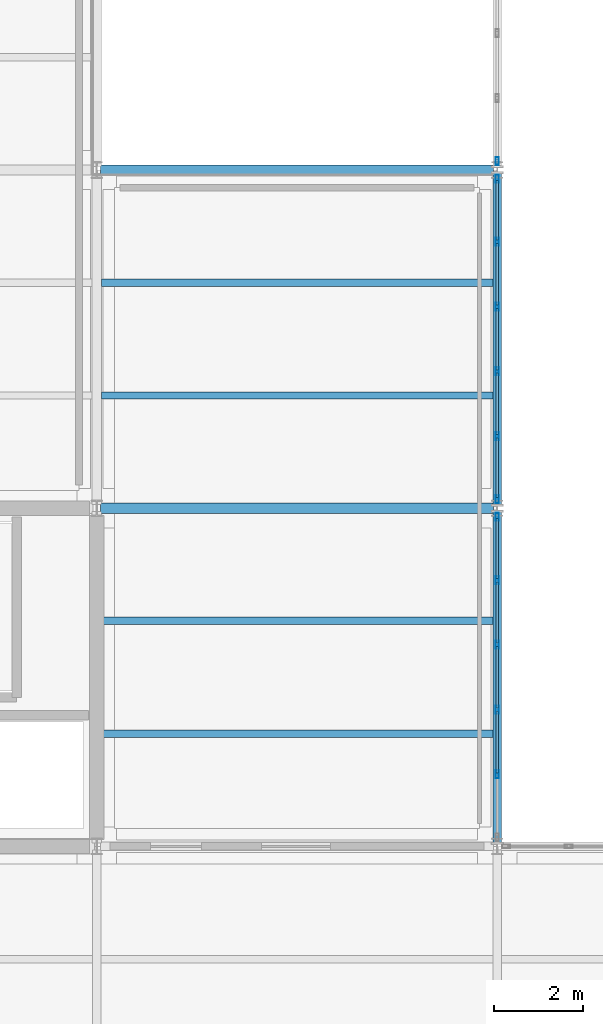
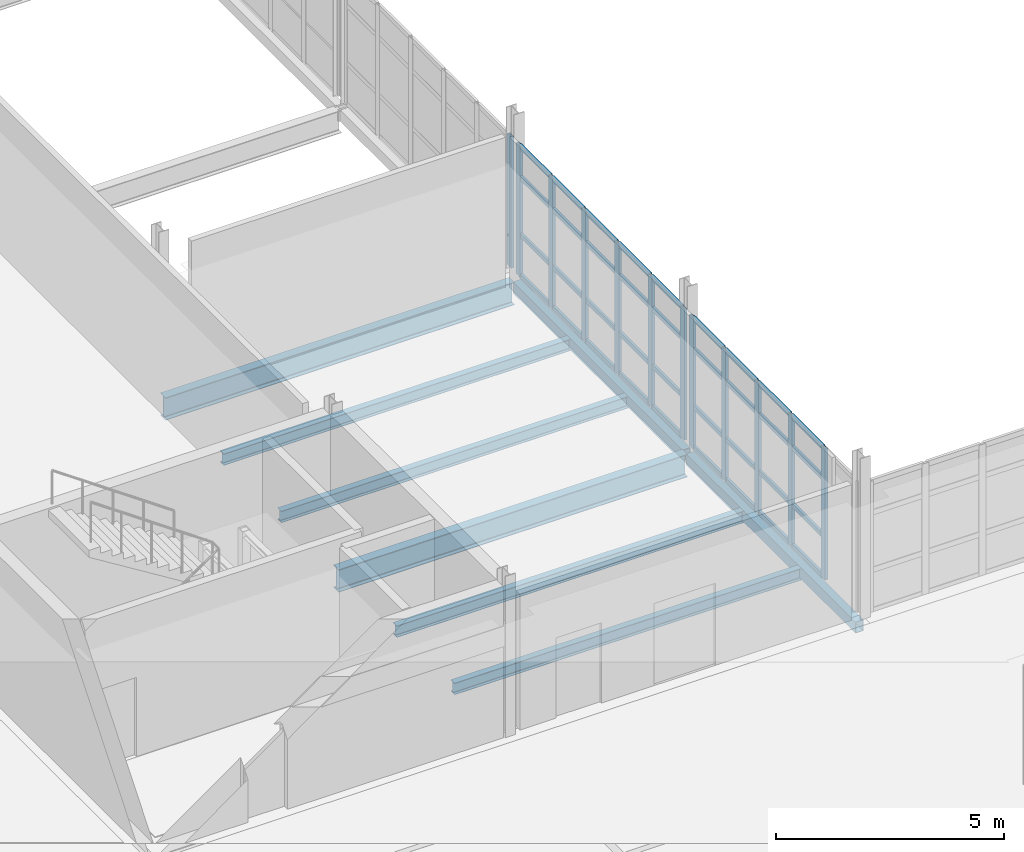
# One storey, part 60 of 174: 48 members, 8 beams, 3 elements without a shape of their own.
"""IFC4 building model written with IfcOpenShell, lengths in metres."""

from ifc_helpers import new_model, si_unit, direction, frame, origin, origin_2d, place, context, subcontext, project, spatial, hollow_rectangle, i_section, extrude, material, material_profile, profile_set, type_object, element, aggregate, save


model = new_model("IFC4")

# Units and contexts
model_context = context("Model", 3, precision=1e-05, world=origin(), true_north=direction((0.0, 1.0)))
body_context = subcontext(model_context, "Body", "Model", "MODEL_VIEW")
ifc_project = project(units=[si_unit("LENGTHUNIT", "METRE"), si_unit("AREAUNIT", "SQUARE_METRE"), si_unit("VOLUMEUNIT", "CUBIC_METRE"), si_unit("PLANEANGLEUNIT", "RADIAN"), si_unit("MASSUNIT", "GRAM", prefix="KILO")], contexts=[model_context])

# Site, building, storey
site_placement = place(None, origin())
site = spatial("IfcSite", under=ifc_project, at=site_placement, CompositionType="ELEMENT")
building_placement = place(site_placement, origin())
building = spatial("IfcBuilding", under=site, at=building_placement, Name="Caisbarro Railhouse Central Library", CompositionType="ELEMENT")
storey_placement = place(building_placement, frame((0.0, 0.0, 5.0400390625)))
storey = spatial("IfcBuildingStorey", under=building, at=storey_placement, Name="L01", CompositionType="ELEMENT", Elevation=5.0400390625)

# Beams
ifc_material_1 = material(Name="Steel ASTM A572 Grade 50", Category="steel")
ifc_material_profile_1 = material_profile(ifc_material_1, i_section(OverallWidth=0.22802734375, OverallDepth=0.60791015625, WebThickness=0.01123046875, FlangeThickness=0.017333984375, FilletRadius=0.02197265625, at=origin_2d()), Name="W610X113.0")
ifc_profile_set_1 = profile_set([ifc_material_profile_1], Name="Steel ASTM A572 Grade 50")
beam_type_1 = type_object("IfcBeamType", Name="BM-G04", PredefinedType="BEAM", material=ifc_profile_set_1)
for number, where, z_axis, x_axis, name in (
    (1, (63.080078125, 38.0, -0.52392578125), (1.0, 0.0, 0.0), (0.0, 1.0, 0.0), "G04 beam L01 #803"),
    (2, (63.080078125, 45.60009765625, -0.52392578125), (1.0, 0.0, 0.0), (0.0, 1.0, 0.0), "G04 beam L01 #808"),
):
    element("IfcBeam", number, at=place(storey_placement, frame(where, z_axis=z_axis, x_axis=x_axis)), inside=storey, type_object=beam_type_1, Name=name, PredefinedType="BEAM", context=body_context, shape_type="SweptSolid", body=[
        extrude(i_section(OverallWidth=0.22802734375, OverallDepth=0.60791015625, WebThickness=0.01123046875, FlangeThickness=0.017333984375, FilletRadius=0.02197265625, at=origin_2d()), origin(), (0.0, 0.0, 1.0), 8.83984375),
    ])
ifc_material_profile_2 = material_profile(ifc_material_1, i_section(OverallWidth=0.1650390625, OverallDepth=0.31005859375, WebThickness=0.005859375, FlangeThickness=0.009765625, FilletRadius=0.011962890625, at=origin_2d()), Name="W310X38.7")
ifc_profile_set_2 = profile_set([ifc_material_profile_2], Name="Steel ASTM A572 Grade 50")
beam_type_2 = type_object("IfcBeamType", Name="BM-J03", PredefinedType="JOIST", material=ifc_profile_set_2)
for number, where, z_axis, x_axis, name in (
    (3, (63.1044921875, 32.933349609375, -0.375), (1.0, 0.0, 0.0), (0.0, 1.0, 0.0), "J03 beam L01 #897"),
    (4, (63.1044921875, 35.466796875, -0.375), (1.0, 0.0, 0.0), (0.0, 1.0, 0.0), "J03 beam L01 #898"),
    (5, (63.1044921875, 40.533203125, -0.375), (1.0, 0.0, 0.0), (0.0, 1.0, 0.0), "J03 beam L01 #899"),
    (6, (63.1044921875, 43.066650390625, -0.375), (1.0, 0.0, 0.0), (0.0, 1.0, 0.0), "J03 beam L01 #900"),
):
    element("IfcBeam", number, at=place(storey_placement, frame(where, z_axis=z_axis, x_axis=x_axis)), inside=storey, type_object=beam_type_2, Name=name, PredefinedType="JOIST", context=body_context, shape_type="SweptSolid", body=[
        extrude(i_section(OverallWidth=0.1650390625, OverallDepth=0.31005859375, WebThickness=0.005859375, FlangeThickness=0.009765625, FilletRadius=0.011962890625, at=origin_2d()), origin(), (0.0, 0.0, 1.0), 8.79541015625),
    ])
ifc_material_profile_3 = material_profile(ifc_material_1, hollow_rectangle(XDim=0.199951171875, YDim=0.300048828125, WallThickness=0.012451171875, at=origin_2d()), Name="HSS300X200X12.5")
ifc_profile_set_3 = profile_set([ifc_material_profile_3], Name="Steel ASTM A572 Grade 50")
beam_type_3 = type_object("IfcBeamType", Name="BM-SP02", PredefinedType="SPANDREL", material=ifc_profile_set_3)
for number, where, z_axis, x_axis, name in (
    (7, (72.0, 30.47998046875, -0.3701171875), (0.0, 1.0, 0.0), (-1.0, 0.0, 0.0), "SP02 beam L01 #853"),
    (8, (72.0, 38.080078125, -0.3701171875), (0.0, 1.0, 0.0), (-1.0, 0.0, 0.0), "SP02 beam L01 #854"),
):
    element("IfcBeam", number, at=place(storey_placement, frame(where, z_axis=z_axis, x_axis=x_axis)), inside=storey, type_object=beam_type_3, Name=name, PredefinedType="SPANDREL", context=body_context, shape_type="SweptSolid", body=[
        extrude(hollow_rectangle(XDim=0.199951171875, YDim=0.300048828125, WallThickness=0.012451171875, at=origin_2d()), origin(), (0.0, 0.0, 1.0), 7.43994140625),
    ])

# Curtain wall, members
ifc_material_2 = material(Name="Anodised architectural aluminium", Category="aluminium")
curtain_wall_type = type_object("IfcCurtainWallType", Name="CW-CW02", PredefinedType="NOTDEFINED", material=ifc_material_2)
curtain_wall_1_placement = place(storey_placement, origin())
curtain_wall_1 = element("IfcCurtainWall", 9, at=curtain_wall_1_placement, inside=storey, type_object=curtain_wall_type, Name="CW02 curtain wall L01 #30", PredefinedType="NOTDEFINED")
ifc_material_profile_4 = material_profile(ifc_material_2, hollow_rectangle(XDim=0.074951171875, YDim=0.179931640625, WallThickness=0.00439453125, at=origin_2d()), Name="ALU-MUL-75X180")
ifc_profile_set_4 = profile_set([ifc_material_profile_4], Name="Anodised architectural aluminium")
member_type_1 = type_object("IfcMemberType", Name="CWM-M01", PredefinedType="MULLION", material=ifc_profile_set_4)
member_1_placement = place(storey_placement, frame((72.0, 32.01611328125, 0.0), z_axis=(0.0, 0.0, 1.0), x_axis=(-1.0, 0.0, 0.0)))
member_1 = element("IfcMember", 10, at=member_1_placement, type_object=member_type_1, Name="CW02 mullion 2", PredefinedType="MULLION", context=body_context, shape_type="SweptSolid", body=[
    extrude(hollow_rectangle(XDim=0.074951171875, YDim=0.179931640625, WallThickness=0.00439453125, at=origin_2d()), origin(), (0.0, 0.0, 1.0), 3.510009765625),
])
member_2_placement = place(storey_placement, frame((72.0, 33.471923828125, 0.0), z_axis=(0.0, 0.0, 1.0), x_axis=(-1.0, 0.0, 0.0)))
member_2 = element("IfcMember", 11, at=member_2_placement, type_object=member_type_1, Name="CW02 mullion 3", PredefinedType="MULLION", context=body_context, shape_type="SweptSolid", body=[
    extrude(hollow_rectangle(XDim=0.074951171875, YDim=0.179931640625, WallThickness=0.00439453125, at=origin_2d()), origin(), (0.0, 0.0, 1.0), 3.510009765625),
])
member_3_placement = place(storey_placement, frame((72.0, 34.927978515625, 0.0), z_axis=(0.0, 0.0, 1.0), x_axis=(-1.0, 0.0, 0.0)))
member_3 = element("IfcMember", 12, at=member_3_placement, type_object=member_type_1, Name="CW02 mullion 4", PredefinedType="MULLION", context=body_context, shape_type="SweptSolid", body=[
    extrude(hollow_rectangle(XDim=0.074951171875, YDim=0.179931640625, WallThickness=0.00439453125, at=origin_2d()), origin(), (0.0, 0.0, 1.0), 3.510009765625),
])
member_4_placement = place(storey_placement, frame((72.0, 36.384033203125, 0.0), z_axis=(0.0, 0.0, 1.0), x_axis=(-1.0, 0.0, 0.0)))
member_4 = element("IfcMember", 13, at=member_4_placement, type_object=member_type_1, Name="CW02 mullion 5", PredefinedType="MULLION", context=body_context, shape_type="SweptSolid", body=[
    extrude(hollow_rectangle(XDim=0.074951171875, YDim=0.179931640625, WallThickness=0.00439453125, at=origin_2d()), origin(), (0.0, 0.0, 1.0), 3.510009765625),
])
member_5_placement = place(storey_placement, frame((72.0, 37.802490234375, 0.0), z_axis=(0.0, 0.0, 1.0), x_axis=(-1.0, 0.0, 0.0)))
member_5 = element("IfcMember", 14, at=member_5_placement, type_object=member_type_1, Name="CW02 mullion 6", PredefinedType="MULLION", context=body_context, shape_type="SweptSolid", body=[
    extrude(hollow_rectangle(XDim=0.074951171875, YDim=0.179931640625, WallThickness=0.00439453125, at=origin_2d()), origin(), (0.0, 0.0, 1.0), 3.510009765625),
])

curtain_wall_2_placement = place(storey_placement, origin())
curtain_wall_2 = element("IfcCurtainWall", 15, at=curtain_wall_2_placement, inside=storey, type_object=curtain_wall_type, Name="CW02 curtain wall L01 #31", PredefinedType="NOTDEFINED")
member_6_placement = place(storey_placement, frame((72.0, 38.197509765625, 0.0), z_axis=(0.0, 0.0, 1.0), x_axis=(-1.0, 0.0, 0.0)))
member_6 = element("IfcMember", 16, at=member_6_placement, type_object=member_type_1, Name="CW02 mullion 1", PredefinedType="MULLION", context=body_context, shape_type="SweptSolid", body=[
    extrude(hollow_rectangle(XDim=0.074951171875, YDim=0.179931640625, WallThickness=0.00439453125, at=origin_2d()), origin(), (0.0, 0.0, 1.0), 3.510009765625),
])
member_7_placement = place(storey_placement, frame((72.0, 39.615966796875, 0.0), z_axis=(0.0, 0.0, 1.0), x_axis=(-1.0, 0.0, 0.0)))
member_7 = element("IfcMember", 17, at=member_7_placement, type_object=member_type_1, Name="CW02 mullion 2", PredefinedType="MULLION", context=body_context, shape_type="SweptSolid", body=[
    extrude(hollow_rectangle(XDim=0.074951171875, YDim=0.179931640625, WallThickness=0.00439453125, at=origin_2d()), origin(), (0.0, 0.0, 1.0), 3.510009765625),
])
member_8_placement = place(storey_placement, frame((72.0, 41.072021484375, 0.0), z_axis=(0.0, 0.0, 1.0), x_axis=(-1.0, 0.0, 0.0)))
member_8 = element("IfcMember", 18, at=member_8_placement, type_object=member_type_1, Name="CW02 mullion 3", PredefinedType="MULLION", context=body_context, shape_type="SweptSolid", body=[
    extrude(hollow_rectangle(XDim=0.074951171875, YDim=0.179931640625, WallThickness=0.00439453125, at=origin_2d()), origin(), (0.0, 0.0, 1.0), 3.510009765625),
])
member_9_placement = place(storey_placement, frame((72.0, 42.528076171875, 0.0), z_axis=(0.0, 0.0, 1.0), x_axis=(-1.0, 0.0, 0.0)))
member_9 = element("IfcMember", 19, at=member_9_placement, type_object=member_type_1, Name="CW02 mullion 4", PredefinedType="MULLION", context=body_context, shape_type="SweptSolid", body=[
    extrude(hollow_rectangle(XDim=0.074951171875, YDim=0.179931640625, WallThickness=0.00439453125, at=origin_2d()), origin(), (0.0, 0.0, 1.0), 3.510009765625),
])
member_10_placement = place(storey_placement, frame((72.0, 43.98388671875, 0.0), z_axis=(0.0, 0.0, 1.0), x_axis=(-1.0, 0.0, 0.0)))
member_10 = element("IfcMember", 20, at=member_10_placement, type_object=member_type_1, Name="CW02 mullion 5", PredefinedType="MULLION", context=body_context, shape_type="SweptSolid", body=[
    extrude(hollow_rectangle(XDim=0.074951171875, YDim=0.179931640625, WallThickness=0.00439453125, at=origin_2d()), origin(), (0.0, 0.0, 1.0), 3.510009765625),
])
member_11_placement = place(storey_placement, frame((72.0, 45.402587890625, 0.0), z_axis=(0.0, 0.0, 1.0), x_axis=(-1.0, 0.0, 0.0)))
member_11 = element("IfcMember", 21, at=member_11_placement, type_object=member_type_1, Name="CW02 mullion 6", PredefinedType="MULLION", context=body_context, shape_type="SweptSolid", body=[
    extrude(hollow_rectangle(XDim=0.074951171875, YDim=0.179931640625, WallThickness=0.00439453125, at=origin_2d()), origin(), (0.0, 0.0, 1.0), 3.510009765625),
])

# Curtain wall, member
curtain_wall_3_placement = place(storey_placement, origin())
curtain_wall_3 = element("IfcCurtainWall", 22, at=curtain_wall_3_placement, inside=storey, type_object=curtain_wall_type, Name="CW02 curtain wall L01 #32", PredefinedType="NOTDEFINED")
member_12_placement = place(storey_placement, frame((72.0, 45.797607421875, 0.0), z_axis=(0.0, 0.0, 1.0), x_axis=(-1.0, 0.0, 0.0)))
member_12 = element("IfcMember", 23, at=member_12_placement, type_object=member_type_1, Name="CW02 mullion 1", PredefinedType="MULLION", context=body_context, shape_type="SweptSolid", body=[
    extrude(hollow_rectangle(XDim=0.074951171875, YDim=0.179931640625, WallThickness=0.00439453125, at=origin_2d()), origin(), (0.0, 0.0, 1.0), 3.510009765625),
])
aggregate(curtain_wall_3, [member_12])

# Member
ifc_material_profile_5 = material_profile(ifc_material_2, hollow_rectangle(XDim=0.06494140625, YDim=0.1201171875, WallThickness=0.00341796875, at=origin_2d()), Name="ALU-TRN-65X120")
ifc_profile_set_5 = profile_set([ifc_material_profile_5], Name="Anodised architectural aluminium")
member_type_2 = type_object("IfcMemberType", Name="CWT-T02", PredefinedType="USERDEFINED", material=ifc_profile_set_5)
member_13_placement = place(storey_placement, frame((72.0, 32.053466796875, 0.032470703125), z_axis=(0.0, 1.0, 0.0), x_axis=(-1.0, 0.0, 0.0)))
member_13 = element("IfcMember", 24, at=member_13_placement, type_object=member_type_2, Name="CW02 transom 2.1", ObjectType="TRANSOM", PredefinedType="USERDEFINED", context=body_context, shape_type="SweptSolid", body=[
    extrude(hollow_rectangle(XDim=0.06494140625, YDim=0.1201171875, WallThickness=0.00341796875, at=origin_2d()), origin(), (0.0, 0.0, 1.0), 1.381103515625),
])

member_14_placement = place(storey_placement, frame((72.0, 32.053466796875, 1.119873046875), z_axis=(0.0, 1.0, 0.0), x_axis=(-1.0, 0.0, 0.0)))
member_14 = element("IfcMember", 25, at=member_14_placement, type_object=member_type_2, Name="CW02 transom 2.2", ObjectType="TRANSOM", PredefinedType="USERDEFINED", context=body_context, shape_type="SweptSolid", body=[
    extrude(hollow_rectangle(XDim=0.06494140625, YDim=0.1201171875, WallThickness=0.00341796875, at=origin_2d()), origin(), (0.0, 0.0, 1.0), 1.381103515625),
])

member_15_placement = place(storey_placement, frame((72.0, 32.053466796875, 2.659912109375), z_axis=(0.0, 1.0, 0.0), x_axis=(-1.0, 0.0, 0.0)))
member_15 = element("IfcMember", 26, at=member_15_placement, type_object=member_type_2, Name="CW02 transom 2.3", ObjectType="TRANSOM", PredefinedType="USERDEFINED", context=body_context, shape_type="SweptSolid", body=[
    extrude(hollow_rectangle(XDim=0.06494140625, YDim=0.1201171875, WallThickness=0.00341796875, at=origin_2d()), origin(), (0.0, 0.0, 1.0), 1.381103515625),
])

member_16_placement = place(storey_placement, frame((72.0, 32.053466796875, 3.4775390625), z_axis=(0.0, 1.0, 0.0), x_axis=(-1.0, 0.0, 0.0)))
member_16 = element("IfcMember", 27, at=member_16_placement, type_object=member_type_2, Name="CW02 transom 2.4", ObjectType="TRANSOM", PredefinedType="USERDEFINED", context=body_context, shape_type="SweptSolid", body=[
    extrude(hollow_rectangle(XDim=0.06494140625, YDim=0.1201171875, WallThickness=0.00341796875, at=origin_2d()), origin(), (0.0, 0.0, 1.0), 1.381103515625),
])

member_17_placement = place(storey_placement, frame((72.0, 33.509521484375, 0.032470703125), z_axis=(0.0, 1.0, 0.0), x_axis=(-1.0, 0.0, 0.0)))
member_17 = element("IfcMember", 28, at=member_17_placement, type_object=member_type_2, Name="CW02 transom 3.1", ObjectType="TRANSOM", PredefinedType="USERDEFINED", context=body_context, shape_type="SweptSolid", body=[
    extrude(hollow_rectangle(XDim=0.06494140625, YDim=0.1201171875, WallThickness=0.00341796875, at=origin_2d()), origin(), (0.0, 0.0, 1.0), 1.380859375),
])

member_18_placement = place(storey_placement, frame((72.0, 33.509521484375, 1.119873046875), z_axis=(0.0, 1.0, 0.0), x_axis=(-1.0, 0.0, 0.0)))
member_18 = element("IfcMember", 29, at=member_18_placement, type_object=member_type_2, Name="CW02 transom 3.2", ObjectType="TRANSOM", PredefinedType="USERDEFINED", context=body_context, shape_type="SweptSolid", body=[
    extrude(hollow_rectangle(XDim=0.06494140625, YDim=0.1201171875, WallThickness=0.00341796875, at=origin_2d()), origin(), (0.0, 0.0, 1.0), 1.380859375),
])

member_19_placement = place(storey_placement, frame((72.0, 33.509521484375, 2.659912109375), z_axis=(0.0, 1.0, 0.0), x_axis=(-1.0, 0.0, 0.0)))
member_19 = element("IfcMember", 30, at=member_19_placement, type_object=member_type_2, Name="CW02 transom 3.3", ObjectType="TRANSOM", PredefinedType="USERDEFINED", context=body_context, shape_type="SweptSolid", body=[
    extrude(hollow_rectangle(XDim=0.06494140625, YDim=0.1201171875, WallThickness=0.00341796875, at=origin_2d()), origin(), (0.0, 0.0, 1.0), 1.380859375),
])

member_20_placement = place(storey_placement, frame((72.0, 33.509521484375, 3.4775390625), z_axis=(0.0, 1.0, 0.0), x_axis=(-1.0, 0.0, 0.0)))
member_20 = element("IfcMember", 31, at=member_20_placement, type_object=member_type_2, Name="CW02 transom 3.4", ObjectType="TRANSOM", PredefinedType="USERDEFINED", context=body_context, shape_type="SweptSolid", body=[
    extrude(hollow_rectangle(XDim=0.06494140625, YDim=0.1201171875, WallThickness=0.00341796875, at=origin_2d()), origin(), (0.0, 0.0, 1.0), 1.380859375),
])

member_21_placement = place(storey_placement, frame((72.0, 34.965576171875, 0.032470703125), z_axis=(0.0, 1.0, 0.0), x_axis=(-1.0, 0.0, 0.0)))
member_21 = element("IfcMember", 32, at=member_21_placement, type_object=member_type_2, Name="CW02 transom 4.1", ObjectType="TRANSOM", PredefinedType="USERDEFINED", context=body_context, shape_type="SweptSolid", body=[
    extrude(hollow_rectangle(XDim=0.06494140625, YDim=0.1201171875, WallThickness=0.00341796875, at=origin_2d()), origin(), (0.0, 0.0, 1.0), 1.380859375),
])

member_22_placement = place(storey_placement, frame((72.0, 34.965576171875, 1.119873046875), z_axis=(0.0, 1.0, 0.0), x_axis=(-1.0, 0.0, 0.0)))
member_22 = element("IfcMember", 33, at=member_22_placement, type_object=member_type_2, Name="CW02 transom 4.2", ObjectType="TRANSOM", PredefinedType="USERDEFINED", context=body_context, shape_type="SweptSolid", body=[
    extrude(hollow_rectangle(XDim=0.06494140625, YDim=0.1201171875, WallThickness=0.00341796875, at=origin_2d()), origin(), (0.0, 0.0, 1.0), 1.380859375),
])

member_23_placement = place(storey_placement, frame((72.0, 34.965576171875, 2.659912109375), z_axis=(0.0, 1.0, 0.0), x_axis=(-1.0, 0.0, 0.0)))
member_23 = element("IfcMember", 34, at=member_23_placement, type_object=member_type_2, Name="CW02 transom 4.3", ObjectType="TRANSOM", PredefinedType="USERDEFINED", context=body_context, shape_type="SweptSolid", body=[
    extrude(hollow_rectangle(XDim=0.06494140625, YDim=0.1201171875, WallThickness=0.00341796875, at=origin_2d()), origin(), (0.0, 0.0, 1.0), 1.380859375),
])

member_24_placement = place(storey_placement, frame((72.0, 34.965576171875, 3.4775390625), z_axis=(0.0, 1.0, 0.0), x_axis=(-1.0, 0.0, 0.0)))
member_24 = element("IfcMember", 35, at=member_24_placement, type_object=member_type_2, Name="CW02 transom 4.4", ObjectType="TRANSOM", PredefinedType="USERDEFINED", context=body_context, shape_type="SweptSolid", body=[
    extrude(hollow_rectangle(XDim=0.06494140625, YDim=0.1201171875, WallThickness=0.00341796875, at=origin_2d()), origin(), (0.0, 0.0, 1.0), 1.380859375),
])

member_25_placement = place(storey_placement, frame((72.0, 36.42138671875, 0.032470703125), z_axis=(0.0, 1.0, 0.0), x_axis=(-1.0, 0.0, 0.0)))
member_25 = element("IfcMember", 36, at=member_25_placement, type_object=member_type_2, Name="CW02 transom 5.1", ObjectType="TRANSOM", PredefinedType="USERDEFINED", context=body_context, shape_type="SweptSolid", body=[
    extrude(hollow_rectangle(XDim=0.06494140625, YDim=0.1201171875, WallThickness=0.00341796875, at=origin_2d()), origin(), (0.0, 0.0, 1.0), 1.343505859375),
])

member_26_placement = place(storey_placement, frame((72.0, 36.42138671875, 1.119873046875), z_axis=(0.0, 1.0, 0.0), x_axis=(-1.0, 0.0, 0.0)))
member_26 = element("IfcMember", 37, at=member_26_placement, type_object=member_type_2, Name="CW02 transom 5.2", ObjectType="TRANSOM", PredefinedType="USERDEFINED", context=body_context, shape_type="SweptSolid", body=[
    extrude(hollow_rectangle(XDim=0.06494140625, YDim=0.1201171875, WallThickness=0.00341796875, at=origin_2d()), origin(), (0.0, 0.0, 1.0), 1.343505859375),
])

member_27_placement = place(storey_placement, frame((72.0, 36.42138671875, 2.659912109375), z_axis=(0.0, 1.0, 0.0), x_axis=(-1.0, 0.0, 0.0)))
member_27 = element("IfcMember", 38, at=member_27_placement, type_object=member_type_2, Name="CW02 transom 5.3", ObjectType="TRANSOM", PredefinedType="USERDEFINED", context=body_context, shape_type="SweptSolid", body=[
    extrude(hollow_rectangle(XDim=0.06494140625, YDim=0.1201171875, WallThickness=0.00341796875, at=origin_2d()), origin(), (0.0, 0.0, 1.0), 1.343505859375),
])

member_28_placement = place(storey_placement, frame((72.0, 36.42138671875, 3.4775390625), z_axis=(0.0, 1.0, 0.0), x_axis=(-1.0, 0.0, 0.0)))
member_28 = element("IfcMember", 39, at=member_28_placement, type_object=member_type_2, Name="CW02 transom 5.4", ObjectType="TRANSOM", PredefinedType="USERDEFINED", context=body_context, shape_type="SweptSolid", body=[
    extrude(hollow_rectangle(XDim=0.06494140625, YDim=0.1201171875, WallThickness=0.00341796875, at=origin_2d()), origin(), (0.0, 0.0, 1.0), 1.343505859375),
])

aggregate(curtain_wall_1, [member_1, member_2, member_3, member_4, member_5, member_13, member_14, member_15, member_16, member_17, member_18, member_19, member_20, member_21, member_22, member_23, member_24, member_25, member_26, member_27, member_28])

member_29_placement = place(storey_placement, frame((72.0, 38.235107421875, 0.032470703125), z_axis=(0.0, 1.0, 0.0), x_axis=(-1.0, 0.0, 0.0)))
member_29 = element("IfcMember", 40, at=member_29_placement, type_object=member_type_2, Name="CW02 transom 1.1", ObjectType="TRANSOM", PredefinedType="USERDEFINED", context=body_context, shape_type="SweptSolid", body=[
    extrude(hollow_rectangle(XDim=0.06494140625, YDim=0.1201171875, WallThickness=0.00341796875, at=origin_2d()), origin(), (0.0, 0.0, 1.0), 1.343505859375),
])

member_30_placement = place(storey_placement, frame((72.0, 38.235107421875, 1.119873046875), z_axis=(0.0, 1.0, 0.0), x_axis=(-1.0, 0.0, 0.0)))
member_30 = element("IfcMember", 41, at=member_30_placement, type_object=member_type_2, Name="CW02 transom 1.2", ObjectType="TRANSOM", PredefinedType="USERDEFINED", context=body_context, shape_type="SweptSolid", body=[
    extrude(hollow_rectangle(XDim=0.06494140625, YDim=0.1201171875, WallThickness=0.00341796875, at=origin_2d()), origin(), (0.0, 0.0, 1.0), 1.343505859375),
])

member_31_placement = place(storey_placement, frame((72.0, 38.235107421875, 2.659912109375), z_axis=(0.0, 1.0, 0.0), x_axis=(-1.0, 0.0, 0.0)))
member_31 = element("IfcMember", 42, at=member_31_placement, type_object=member_type_2, Name="CW02 transom 1.3", ObjectType="TRANSOM", PredefinedType="USERDEFINED", context=body_context, shape_type="SweptSolid", body=[
    extrude(hollow_rectangle(XDim=0.06494140625, YDim=0.1201171875, WallThickness=0.00341796875, at=origin_2d()), origin(), (0.0, 0.0, 1.0), 1.343505859375),
])

member_32_placement = place(storey_placement, frame((72.0, 38.235107421875, 3.4775390625), z_axis=(0.0, 1.0, 0.0), x_axis=(-1.0, 0.0, 0.0)))
member_32 = element("IfcMember", 43, at=member_32_placement, type_object=member_type_2, Name="CW02 transom 1.4", ObjectType="TRANSOM", PredefinedType="USERDEFINED", context=body_context, shape_type="SweptSolid", body=[
    extrude(hollow_rectangle(XDim=0.06494140625, YDim=0.1201171875, WallThickness=0.00341796875, at=origin_2d()), origin(), (0.0, 0.0, 1.0), 1.343505859375),
])

member_33_placement = place(storey_placement, frame((72.0, 39.653564453125, 0.032470703125), z_axis=(0.0, 1.0, 0.0), x_axis=(-1.0, 0.0, 0.0)))
member_33 = element("IfcMember", 44, at=member_33_placement, type_object=member_type_2, Name="CW02 transom 2.1", ObjectType="TRANSOM", PredefinedType="USERDEFINED", context=body_context, shape_type="SweptSolid", body=[
    extrude(hollow_rectangle(XDim=0.06494140625, YDim=0.1201171875, WallThickness=0.00341796875, at=origin_2d()), origin(), (0.0, 0.0, 1.0), 1.380859375),
])

member_34_placement = place(storey_placement, frame((72.0, 39.653564453125, 1.119873046875), z_axis=(0.0, 1.0, 0.0), x_axis=(-1.0, 0.0, 0.0)))
member_34 = element("IfcMember", 45, at=member_34_placement, type_object=member_type_2, Name="CW02 transom 2.2", ObjectType="TRANSOM", PredefinedType="USERDEFINED", context=body_context, shape_type="SweptSolid", body=[
    extrude(hollow_rectangle(XDim=0.06494140625, YDim=0.1201171875, WallThickness=0.00341796875, at=origin_2d()), origin(), (0.0, 0.0, 1.0), 1.380859375),
])

member_35_placement = place(storey_placement, frame((72.0, 39.653564453125, 2.659912109375), z_axis=(0.0, 1.0, 0.0), x_axis=(-1.0, 0.0, 0.0)))
member_35 = element("IfcMember", 46, at=member_35_placement, type_object=member_type_2, Name="CW02 transom 2.3", ObjectType="TRANSOM", PredefinedType="USERDEFINED", context=body_context, shape_type="SweptSolid", body=[
    extrude(hollow_rectangle(XDim=0.06494140625, YDim=0.1201171875, WallThickness=0.00341796875, at=origin_2d()), origin(), (0.0, 0.0, 1.0), 1.380859375),
])

member_36_placement = place(storey_placement, frame((72.0, 39.653564453125, 3.4775390625), z_axis=(0.0, 1.0, 0.0), x_axis=(-1.0, 0.0, 0.0)))
member_36 = element("IfcMember", 47, at=member_36_placement, type_object=member_type_2, Name="CW02 transom 2.4", ObjectType="TRANSOM", PredefinedType="USERDEFINED", context=body_context, shape_type="SweptSolid", body=[
    extrude(hollow_rectangle(XDim=0.06494140625, YDim=0.1201171875, WallThickness=0.00341796875, at=origin_2d()), origin(), (0.0, 0.0, 1.0), 1.380859375),
])

member_37_placement = place(storey_placement, frame((72.0, 41.109619140625, 0.032470703125), z_axis=(0.0, 1.0, 0.0), x_axis=(-1.0, 0.0, 0.0)))
member_37 = element("IfcMember", 48, at=member_37_placement, type_object=member_type_2, Name="CW02 transom 3.1", ObjectType="TRANSOM", PredefinedType="USERDEFINED", context=body_context, shape_type="SweptSolid", body=[
    extrude(hollow_rectangle(XDim=0.06494140625, YDim=0.1201171875, WallThickness=0.00341796875, at=origin_2d()), origin(), (0.0, 0.0, 1.0), 1.380859375),
])

member_38_placement = place(storey_placement, frame((72.0, 41.109619140625, 1.119873046875), z_axis=(0.0, 1.0, 0.0), x_axis=(-1.0, 0.0, 0.0)))
member_38 = element("IfcMember", 49, at=member_38_placement, type_object=member_type_2, Name="CW02 transom 3.2", ObjectType="TRANSOM", PredefinedType="USERDEFINED", context=body_context, shape_type="SweptSolid", body=[
    extrude(hollow_rectangle(XDim=0.06494140625, YDim=0.1201171875, WallThickness=0.00341796875, at=origin_2d()), origin(), (0.0, 0.0, 1.0), 1.380859375),
])

member_39_placement = place(storey_placement, frame((72.0, 41.109619140625, 2.659912109375), z_axis=(0.0, 1.0, 0.0), x_axis=(-1.0, 0.0, 0.0)))
member_39 = element("IfcMember", 50, at=member_39_placement, type_object=member_type_2, Name="CW02 transom 3.3", ObjectType="TRANSOM", PredefinedType="USERDEFINED", context=body_context, shape_type="SweptSolid", body=[
    extrude(hollow_rectangle(XDim=0.06494140625, YDim=0.1201171875, WallThickness=0.00341796875, at=origin_2d()), origin(), (0.0, 0.0, 1.0), 1.380859375),
])

member_40_placement = place(storey_placement, frame((72.0, 41.109619140625, 3.4775390625), z_axis=(0.0, 1.0, 0.0), x_axis=(-1.0, 0.0, 0.0)))
member_40 = element("IfcMember", 51, at=member_40_placement, type_object=member_type_2, Name="CW02 transom 3.4", ObjectType="TRANSOM", PredefinedType="USERDEFINED", context=body_context, shape_type="SweptSolid", body=[
    extrude(hollow_rectangle(XDim=0.06494140625, YDim=0.1201171875, WallThickness=0.00341796875, at=origin_2d()), origin(), (0.0, 0.0, 1.0), 1.380859375),
])

member_41_placement = place(storey_placement, frame((72.0, 42.5654296875, 0.032470703125), z_axis=(0.0, 1.0, 0.0), x_axis=(-1.0, 0.0, 0.0)))
member_41 = element("IfcMember", 52, at=member_41_placement, type_object=member_type_2, Name="CW02 transom 4.1", ObjectType="TRANSOM", PredefinedType="USERDEFINED", context=body_context, shape_type="SweptSolid", body=[
    extrude(hollow_rectangle(XDim=0.06494140625, YDim=0.1201171875, WallThickness=0.00341796875, at=origin_2d()), origin(), (0.0, 0.0, 1.0), 1.381103515625),
])

member_42_placement = place(storey_placement, frame((72.0, 42.5654296875, 1.119873046875), z_axis=(0.0, 1.0, 0.0), x_axis=(-1.0, 0.0, 0.0)))
member_42 = element("IfcMember", 53, at=member_42_placement, type_object=member_type_2, Name="CW02 transom 4.2", ObjectType="TRANSOM", PredefinedType="USERDEFINED", context=body_context, shape_type="SweptSolid", body=[
    extrude(hollow_rectangle(XDim=0.06494140625, YDim=0.1201171875, WallThickness=0.00341796875, at=origin_2d()), origin(), (0.0, 0.0, 1.0), 1.381103515625),
])

member_43_placement = place(storey_placement, frame((72.0, 42.5654296875, 2.659912109375), z_axis=(0.0, 1.0, 0.0), x_axis=(-1.0, 0.0, 0.0)))
member_43 = element("IfcMember", 54, at=member_43_placement, type_object=member_type_2, Name="CW02 transom 4.3", ObjectType="TRANSOM", PredefinedType="USERDEFINED", context=body_context, shape_type="SweptSolid", body=[
    extrude(hollow_rectangle(XDim=0.06494140625, YDim=0.1201171875, WallThickness=0.00341796875, at=origin_2d()), origin(), (0.0, 0.0, 1.0), 1.381103515625),
])

member_44_placement = place(storey_placement, frame((72.0, 42.5654296875, 3.4775390625), z_axis=(0.0, 1.0, 0.0), x_axis=(-1.0, 0.0, 0.0)))
member_44 = element("IfcMember", 55, at=member_44_placement, type_object=member_type_2, Name="CW02 transom 4.4", ObjectType="TRANSOM", PredefinedType="USERDEFINED", context=body_context, shape_type="SweptSolid", body=[
    extrude(hollow_rectangle(XDim=0.06494140625, YDim=0.1201171875, WallThickness=0.00341796875, at=origin_2d()), origin(), (0.0, 0.0, 1.0), 1.381103515625),
])

member_45_placement = place(storey_placement, frame((72.0, 44.021484375, 0.032470703125), z_axis=(0.0, 1.0, 0.0), x_axis=(-1.0, 0.0, 0.0)))
member_45 = element("IfcMember", 56, at=member_45_placement, type_object=member_type_2, Name="CW02 transom 5.1", ObjectType="TRANSOM", PredefinedType="USERDEFINED", context=body_context, shape_type="SweptSolid", body=[
    extrude(hollow_rectangle(XDim=0.06494140625, YDim=0.1201171875, WallThickness=0.00341796875, at=origin_2d()), origin(), (0.0, 0.0, 1.0), 1.343505859375),
])

member_46_placement = place(storey_placement, frame((72.0, 44.021484375, 1.119873046875), z_axis=(0.0, 1.0, 0.0), x_axis=(-1.0, 0.0, 0.0)))
member_46 = element("IfcMember", 57, at=member_46_placement, type_object=member_type_2, Name="CW02 transom 5.2", ObjectType="TRANSOM", PredefinedType="USERDEFINED", context=body_context, shape_type="SweptSolid", body=[
    extrude(hollow_rectangle(XDim=0.06494140625, YDim=0.1201171875, WallThickness=0.00341796875, at=origin_2d()), origin(), (0.0, 0.0, 1.0), 1.343505859375),
])

member_47_placement = place(storey_placement, frame((72.0, 44.021484375, 2.659912109375), z_axis=(0.0, 1.0, 0.0), x_axis=(-1.0, 0.0, 0.0)))
member_47 = element("IfcMember", 58, at=member_47_placement, type_object=member_type_2, Name="CW02 transom 5.3", ObjectType="TRANSOM", PredefinedType="USERDEFINED", context=body_context, shape_type="SweptSolid", body=[
    extrude(hollow_rectangle(XDim=0.06494140625, YDim=0.1201171875, WallThickness=0.00341796875, at=origin_2d()), origin(), (0.0, 0.0, 1.0), 1.343505859375),
])

member_48_placement = place(storey_placement, frame((72.0, 44.021484375, 3.4775390625), z_axis=(0.0, 1.0, 0.0), x_axis=(-1.0, 0.0, 0.0)))
member_48 = element("IfcMember", 59, at=member_48_placement, type_object=member_type_2, Name="CW02 transom 5.4", ObjectType="TRANSOM", PredefinedType="USERDEFINED", context=body_context, shape_type="SweptSolid", body=[
    extrude(hollow_rectangle(XDim=0.06494140625, YDim=0.1201171875, WallThickness=0.00341796875, at=origin_2d()), origin(), (0.0, 0.0, 1.0), 1.343505859375),
])

aggregate(curtain_wall_2, [member_6, member_7, member_8, member_9, member_10, member_11, member_29, member_30, member_31, member_32, member_33, member_34, member_35, member_36, member_37, member_38, member_39, member_40, member_41, member_42, member_43, member_44, member_45, member_46, member_47, member_48])

save(model, "model.ifc")
